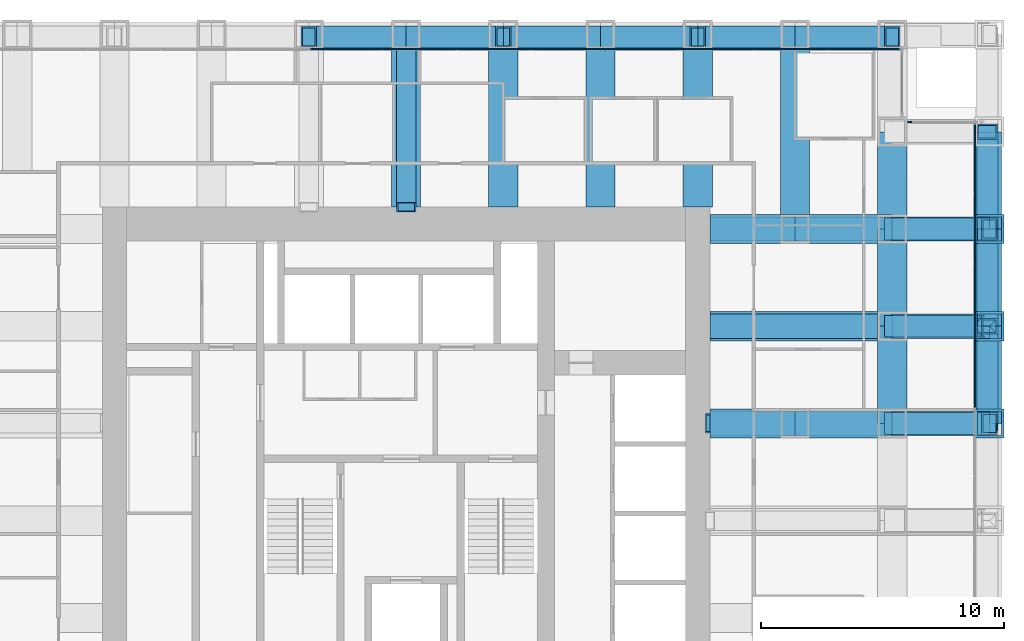
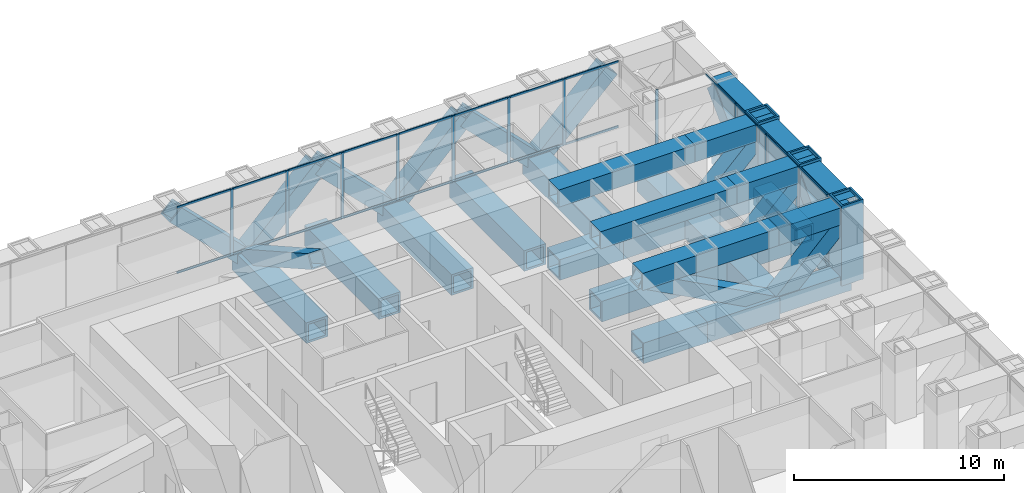
# One storey, part 10 of 18: 53 members, 28 beams, 3 elements without a shape of their own.
"""IFC4 building model written with IfcOpenShell, lengths in metres."""

from ifc_helpers import new_model, si_unit, direction, frame, origin, origin_2d, place, context, subcontext, project, spatial, rectangle, hollow_rectangle, extrude, material, material_profile, profile_set, type_object, element, aggregate, save


model = new_model("IFC4")

# Units and contexts
model_context = context("Model", 3, precision=1e-05, world=origin(), true_north=direction((0.0, 1.0)))
body_context = subcontext(model_context, "Body", "Model", "MODEL_VIEW")
ifc_project = project(units=[si_unit("LENGTHUNIT", "METRE"), si_unit("AREAUNIT", "SQUARE_METRE"), si_unit("VOLUMEUNIT", "CUBIC_METRE"), si_unit("PLANEANGLEUNIT", "RADIAN"), si_unit("MASSUNIT", "GRAM", prefix="KILO")], contexts=[model_context])

# Site, building, storey
site_placement = place(None, origin())
site = spatial("IfcSite", under=ifc_project, at=site_placement, CompositionType="ELEMENT")
building_placement = place(site_placement, origin())
building = spatial("IfcBuilding", under=site, at=building_placement, Name="Rimbunsela Tower", CompositionType="ELEMENT")
storey_placement = place(building_placement, frame((0.0, 0.0, 11.0)))
storey = spatial("IfcBuildingStorey", under=building, at=storey_placement, Name="L02", CompositionType="ELEMENT", Elevation=11.0)

# Beams
ifc_material_1 = material(Name="Steel BJ 55 (fy 410 MPa)", Category="steel")
ifc_material_profile_1 = material_profile(ifc_material_1, hollow_rectangle(XDim=1.199951171875, YDim=1.199951171875, WallThickness=0.10009765625, at=origin_2d()), Name="BOX 1200x1200x100")
ifc_profile_set_1 = profile_set([ifc_material_profile_1], Name="Steel BJ 55 (fy 410 MPa)")
beam_type_1 = type_object("IfcBeamType", Name="Beam BOX 1200x1200x100", PredefinedType="BEAM", material=ifc_profile_set_1)
for number, where, z_axis, x_axis, name in (
    (1, (42.5, 28.0, -0.75), (1.0, 0.0, 0.0), (0.0, 1.0, 0.0), "Beam B5 L02"),
    (2, (42.5, 36.0, -0.75), (1.0, 0.0, 0.0), (0.0, 1.0, 0.0), "Beam B5 L02"),
):
    element("IfcBeam", number, at=place(storey_placement, frame(where, z_axis=z_axis, x_axis=x_axis)), inside=storey, type_object=beam_type_1, Name=name, PredefinedType="BEAM", context=body_context, shape_type="SweptSolid", body=[
        extrude(hollow_rectangle(XDim=1.199951171875, YDim=1.199951171875, WallThickness=0.10009765625, at=origin_2d()), origin(), (0.0, 0.0, 1.0), 3.5),
    ])
ifc_material_2 = material(Name="Steel BJ 55 (fy 410 MPa)", Category="steel")
ifc_material_profile_2 = material_profile(ifc_material_2, hollow_rectangle(XDim=1.199951171875, YDim=1.199951171875, WallThickness=0.125, at=origin_2d()), Name="BOX 1200x1200x125")
ifc_profile_set_2 = profile_set([ifc_material_profile_2], Name="Steel BJ 55 (fy 410 MPa)")
beam_type_2 = type_object("IfcBeamType", Name="Beam BOX 1200x1200x125", PredefinedType="BEAM", material=ifc_profile_set_2)
for number, where, z_axis, x_axis, name in (
    (3, (30.0, 36.89990234375, -0.75), (0.0, 1.0, 0.0), (-1.0, 0.0, 0.0), "Beam B4 L02"),
    (4, (34.0, 36.89990234375, -0.75), (0.0, 1.0, 0.0), (-1.0, 0.0, 0.0), "Beam B4 L02"),
    (5, (38.0, 36.89990234375, -0.75), (0.0, 1.0, 0.0), (-1.0, 0.0, 0.0), "Beam B4 L02"),
    (6, (42.0, 36.89990234375, -0.75), (0.0, 1.0, 0.0), (-1.0, 0.0, 0.0), "Beam B4 L02"),
):
    element("IfcBeam", number, at=place(storey_placement, frame(where, z_axis=z_axis, x_axis=x_axis)), inside=storey, type_object=beam_type_2, Name=name, PredefinedType="BEAM", context=body_context, shape_type="SweptSolid", body=[
        extrude(hollow_rectangle(XDim=1.199951171875, YDim=1.199951171875, WallThickness=0.125, at=origin_2d()), origin(), (0.0, 0.0, 1.0), 7.10009765625),
    ])
beam_1_placement = place(storey_placement, frame((42.5, 32.0, -0.75), z_axis=(1.0, 0.0, 0.0), x_axis=(0.0, 1.0, 0.0)))
element("IfcBeam", 7, at=beam_1_placement, inside=storey, type_object=beam_type_2, Name="Beam B4 L02", PredefinedType="BEAM", context=body_context, shape_type="SweptSolid", body=[
    extrude(hollow_rectangle(XDim=1.199951171875, YDim=1.199951171875, WallThickness=0.125, at=origin_2d()), origin(), (0.0, 0.0, 1.0), 7.5),
])
beam_2_placement = place(storey_placement, frame((46.0, 28.0, -0.75), z_axis=(1.0, 0.0, 0.0), x_axis=(0.0, 1.0, 0.0)))
element("IfcBeam", 8, at=beam_2_placement, inside=storey, type_object=beam_type_2, Name="Beam B4 L02", PredefinedType="BEAM", context=body_context, shape_type="SweptSolid", body=[
    extrude(hollow_rectangle(XDim=1.199951171875, YDim=1.199951171875, WallThickness=0.125, at=origin_2d()), origin(), (0.0, 0.0, 1.0), 4.0),
])
beam_3_placement = place(storey_placement, frame((46.0, 36.0, -0.75), z_axis=(0.0, 1.0, 0.0), x_axis=(-1.0, 0.0, 0.0)))
element("IfcBeam", 9, at=beam_3_placement, inside=storey, type_object=beam_type_2, Name="Beam B4 L02", PredefinedType="BEAM", context=body_context, shape_type="SweptSolid", body=[
    extrude(hollow_rectangle(XDim=1.199951171875, YDim=1.199951171875, WallThickness=0.125, at=origin_2d()), origin(), (0.0, 0.0, 1.0), 8.0),
])
for number, where, z_axis, x_axis, name in (
    (10, (46.0, 36.0, -0.75), (1.0, 0.0, 0.0), (0.0, 1.0, 0.0), "Beam B4 L02"),
    (11, (50.0, 28.0, -0.75), (0.0, 1.0, 0.0), (-1.0, 0.0, 0.0), "Beam B4 L02"),
    (12, (50.0, 32.0, -0.75), (0.0, 1.0, 0.0), (-1.0, 0.0, 0.0), "Beam B4 L02"),
    (13, (50.0, 36.0, -0.75), (0.0, 1.0, 0.0), (-1.0, 0.0, 0.0), "Beam B4 L02"),
):
    element("IfcBeam", number, at=place(storey_placement, frame(where, z_axis=z_axis, x_axis=x_axis)), inside=storey, type_object=beam_type_2, Name=name, PredefinedType="BEAM", context=body_context, shape_type="SweptSolid", body=[
        extrude(hollow_rectangle(XDim=1.199951171875, YDim=1.199951171875, WallThickness=0.125, at=origin_2d()), origin(), (0.0, 0.0, 1.0), 4.0),
    ])

# Curtain wall, members
ifc_material_3 = material(Name="Aluminium curtain wall", Category="aluminium")
curtain_wall_type_1 = type_object("IfcCurtainWallType", Name="Exoskeleton storey infill", PredefinedType="USERDEFINED", material=ifc_material_3)
curtain_wall_1_placement = place(storey_placement, origin())
curtain_wall_1 = element("IfcCurtainWall", 14, at=curtain_wall_1_placement, inside=storey, type_object=curtain_wall_type_1, Name="Exoskeleton storey infill L02", ObjectType="EXOSKELETON STOREY INFILL", PredefinedType="USERDEFINED")
ifc_material_4 = material(Name="Aluminium mullion", Category="aluminium")
ifc_material_profile_3 = material_profile(ifc_material_4, rectangle(XDim=0.06005859375, YDim=0.159912109375, at=origin_2d()), Name="Mullion 60x160")
ifc_profile_set_3 = profile_set([ifc_material_profile_3], Name="Aluminium mullion")
member_type_1 = type_object("IfcMemberType", Name="Curtain wall mullion 60x160", PredefinedType="MULLION", material=ifc_profile_set_3)
member_1_placement = place(storey_placement, frame((53.39990234375, 28.742919921875, 0.0), z_axis=(0.0, 0.0, 1.0), x_axis=(-1.0, 0.0, 0.0)))
member_1 = element("IfcMember", 15, at=member_1_placement, type_object=member_type_1, Name="CW2 mullion 11", PredefinedType="MULLION", context=body_context, shape_type="SweptSolid", body=[
    extrude(rectangle(XDim=0.06005859375, YDim=0.159912109375, at=origin_2d()), origin(), (0.0, 0.0, 1.0), 3.85009765625),
])
member_2_placement = place(storey_placement, frame((53.39990234375, 31.6572265625, 0.0), z_axis=(0.0, 0.0, 1.0), x_axis=(-1.0, 0.0, 0.0)))
member_2 = element("IfcMember", 16, at=member_2_placement, type_object=member_type_1, Name="CW2 mullion 12", PredefinedType="MULLION", context=body_context, shape_type="SweptSolid", body=[
    extrude(rectangle(XDim=0.06005859375, YDim=0.159912109375, at=origin_2d()), origin(), (0.0, 0.0, 1.0), 3.85009765625),
])
member_3_placement = place(storey_placement, frame((53.39990234375, 34.571533203125, 0.0), z_axis=(0.0, 0.0, 1.0), x_axis=(-1.0, 0.0, 0.0)))
member_3 = element("IfcMember", 17, at=member_3_placement, type_object=member_type_1, Name="CW2 mullion 13", PredefinedType="MULLION", context=body_context, shape_type="SweptSolid", body=[
    extrude(rectangle(XDim=0.06005859375, YDim=0.159912109375, at=origin_2d()), origin(), (0.0, 0.0, 1.0), 3.85009765625),
])
member_4_placement = place(storey_placement, frame((53.39990234375, 37.485595703125, 0.0), z_axis=(0.0, 0.0, 1.0), x_axis=(-1.0, 0.0, 0.0)))
member_4 = element("IfcMember", 18, at=member_4_placement, type_object=member_type_1, Name="CW2 mullion 14", PredefinedType="MULLION", context=body_context, shape_type="SweptSolid", body=[
    extrude(rectangle(XDim=0.06005859375, YDim=0.159912109375, at=origin_2d()), origin(), (0.0, 0.0, 1.0), 3.85009765625),
])

# Curtain wall, member
ifc_material_5 = material(Name="Aluminium curtain wall", Category="aluminium")
curtain_wall_type_2 = type_object("IfcCurtainWallType", Name="Spandrel wall", PredefinedType="USERDEFINED", material=ifc_material_5)
curtain_wall_2_placement = place(storey_placement, origin())
curtain_wall_2 = element("IfcCurtainWall", 19, at=curtain_wall_2_placement, inside=storey, type_object=curtain_wall_type_2, Name="Spandrel wall L02", ObjectType="SPANDREL WALL", PredefinedType="USERDEFINED")
member_5_placement = place(storey_placement, frame((50.72998046875, 40.39990234375, 0.0), z_axis=(0.0, 0.0, 1.0), x_axis=(0.0, -1.0, 0.0)))
member_5 = element("IfcMember", 20, at=member_5_placement, type_object=member_type_1, Name="CW7 mullion 2", PredefinedType="MULLION", context=body_context, shape_type="SweptSolid", body=[
    extrude(rectangle(XDim=0.06005859375, YDim=0.159912109375, at=origin_2d()), origin(), (0.0, 0.0, 1.0), 3.85009765625),
])
aggregate(curtain_wall_2, [member_5])

# Curtain wall, members
curtain_wall_3_placement = place(storey_placement, origin())
curtain_wall_3 = element("IfcCurtainWall", 21, at=curtain_wall_3_placement, inside=storey, type_object=curtain_wall_type_1, Name="Exoskeleton storey infill L02", ObjectType="EXOSKELETON STOREY INFILL", PredefinedType="USERDEFINED")
member_6_placement = place(storey_placement, frame((47.35009765625, 43.39990234375, 0.0), z_axis=(0.0, 0.0, 1.0), x_axis=(0.0, -1.0, 0.0)))
member_6 = element("IfcMember", 22, at=member_6_placement, type_object=member_type_1, Name="CW2 mullion 2", PredefinedType="MULLION", context=body_context, shape_type="SweptSolid", body=[
    extrude(rectangle(XDim=0.06005859375, YDim=0.159912109375, at=origin_2d()), origin(), (0.0, 0.0, 1.0), 3.85009765625),
])
member_7_placement = place(storey_placement, frame((44.300048828125, 43.39990234375, 0.0), z_axis=(0.0, 0.0, 1.0), x_axis=(0.0, -1.0, 0.0)))
member_7 = element("IfcMember", 23, at=member_7_placement, type_object=member_type_1, Name="CW2 mullion 3", PredefinedType="MULLION", context=body_context, shape_type="SweptSolid", body=[
    extrude(rectangle(XDim=0.06005859375, YDim=0.159912109375, at=origin_2d()), origin(), (0.0, 0.0, 1.0), 3.85009765625),
])
member_8_placement = place(storey_placement, frame((41.25, 43.39990234375, 0.0), z_axis=(0.0, 0.0, 1.0), x_axis=(0.0, -1.0, 0.0)))
member_8 = element("IfcMember", 24, at=member_8_placement, type_object=member_type_1, Name="CW2 mullion 4", PredefinedType="MULLION", context=body_context, shape_type="SweptSolid", body=[
    extrude(rectangle(XDim=0.06005859375, YDim=0.159912109375, at=origin_2d()), origin(), (0.0, 0.0, 1.0), 3.85009765625),
])
member_9_placement = place(storey_placement, frame((38.199951171875, 43.39990234375, 0.0), z_axis=(0.0, 0.0, 1.0), x_axis=(0.0, -1.0, 0.0)))
member_9 = element("IfcMember", 25, at=member_9_placement, type_object=member_type_1, Name="CW2 mullion 5", PredefinedType="MULLION", context=body_context, shape_type="SweptSolid", body=[
    extrude(rectangle(XDim=0.06005859375, YDim=0.159912109375, at=origin_2d()), origin(), (0.0, 0.0, 1.0), 3.85009765625),
])
member_10_placement = place(storey_placement, frame((35.14990234375, 43.39990234375, 0.0), z_axis=(0.0, 0.0, 1.0), x_axis=(0.0, -1.0, 0.0)))
member_10 = element("IfcMember", 26, at=member_10_placement, type_object=member_type_1, Name="CW2 mullion 6", PredefinedType="MULLION", context=body_context, shape_type="SweptSolid", body=[
    extrude(rectangle(XDim=0.06005859375, YDim=0.159912109375, at=origin_2d()), origin(), (0.0, 0.0, 1.0), 3.85009765625),
])
member_11_placement = place(storey_placement, frame((32.10009765625, 43.39990234375, 0.0), z_axis=(0.0, 0.0, 1.0), x_axis=(0.0, -1.0, 0.0)))
member_11 = element("IfcMember", 27, at=member_11_placement, type_object=member_type_1, Name="CW2 mullion 7", PredefinedType="MULLION", context=body_context, shape_type="SweptSolid", body=[
    extrude(rectangle(XDim=0.06005859375, YDim=0.159912109375, at=origin_2d()), origin(), (0.0, 0.0, 1.0), 3.85009765625),
])
member_12_placement = place(storey_placement, frame((29.050048828125, 43.39990234375, 0.0), z_axis=(0.0, 0.0, 1.0), x_axis=(0.0, -1.0, 0.0)))
member_12 = element("IfcMember", 28, at=member_12_placement, type_object=member_type_1, Name="CW2 mullion 8", PredefinedType="MULLION", context=body_context, shape_type="SweptSolid", body=[
    extrude(rectangle(XDim=0.06005859375, YDim=0.159912109375, at=origin_2d()), origin(), (0.0, 0.0, 1.0), 3.85009765625),
])

# Member
ifc_material_6 = material(Name="Aluminium transom", Category="aluminium")
ifc_material_profile_4 = material_profile(ifc_material_6, rectangle(XDim=0.06005859375, YDim=0.1201171875, at=origin_2d()), Name="Transom 60x120")
ifc_profile_set_4 = profile_set([ifc_material_profile_4], Name="Aluminium transom")
member_type_2 = type_object("IfcMemberType", Name="Curtain wall transom 60x120", PredefinedType="USERDEFINED", material=ifc_profile_set_4)
member_13_placement = place(storey_placement, frame((53.39990234375, 28.77294921875, 0.030029296875), z_axis=(0.0, 1.0, 0.0), x_axis=(-1.0, 0.0, 0.0)))
member_13 = element("IfcMember", 29, at=member_13_placement, type_object=member_type_2, Name="CW2 transom 11.1", ObjectType="TRANSOM", PredefinedType="USERDEFINED", context=body_context, shape_type="SweptSolid", body=[
    extrude(rectangle(XDim=0.06005859375, YDim=0.1201171875, at=origin_2d()), origin(), (0.0, 0.0, 1.0), 2.854248046875),
])

member_14_placement = place(storey_placement, frame((53.39990234375, 28.77294921875, 3.820068359375), z_axis=(0.0, 1.0, 0.0), x_axis=(-1.0, 0.0, 0.0)))
member_14 = element("IfcMember", 30, at=member_14_placement, type_object=member_type_2, Name="CW2 transom 11.2", ObjectType="TRANSOM", PredefinedType="USERDEFINED", context=body_context, shape_type="SweptSolid", body=[
    extrude(rectangle(XDim=0.06005859375, YDim=0.1201171875, at=origin_2d()), origin(), (0.0, 0.0, 1.0), 2.854248046875),
])

member_15_placement = place(storey_placement, frame((53.39990234375, 31.687255859375, 0.030029296875), z_axis=(0.0, 1.0, 0.0), x_axis=(-1.0, 0.0, 0.0)))
member_15 = element("IfcMember", 31, at=member_15_placement, type_object=member_type_2, Name="CW2 transom 12.1", ObjectType="TRANSOM", PredefinedType="USERDEFINED", context=body_context, shape_type="SweptSolid", body=[
    extrude(rectangle(XDim=0.06005859375, YDim=0.1201171875, at=origin_2d()), origin(), (0.0, 0.0, 1.0), 2.854248046875),
])

member_16_placement = place(storey_placement, frame((53.39990234375, 31.687255859375, 3.820068359375), z_axis=(0.0, 1.0, 0.0), x_axis=(-1.0, 0.0, 0.0)))
member_16 = element("IfcMember", 32, at=member_16_placement, type_object=member_type_2, Name="CW2 transom 12.2", ObjectType="TRANSOM", PredefinedType="USERDEFINED", context=body_context, shape_type="SweptSolid", body=[
    extrude(rectangle(XDim=0.06005859375, YDim=0.1201171875, at=origin_2d()), origin(), (0.0, 0.0, 1.0), 2.854248046875),
])

member_17_placement = place(storey_placement, frame((53.39990234375, 34.601318359375, 0.030029296875), z_axis=(0.0, 1.0, 0.0), x_axis=(-1.0, 0.0, 0.0)))
member_17 = element("IfcMember", 33, at=member_17_placement, type_object=member_type_2, Name="CW2 transom 13.1", ObjectType="TRANSOM", PredefinedType="USERDEFINED", context=body_context, shape_type="SweptSolid", body=[
    extrude(rectangle(XDim=0.06005859375, YDim=0.1201171875, at=origin_2d()), origin(), (0.0, 0.0, 1.0), 2.8544921875),
])

member_18_placement = place(storey_placement, frame((53.39990234375, 34.601318359375, 3.820068359375), z_axis=(0.0, 1.0, 0.0), x_axis=(-1.0, 0.0, 0.0)))
member_18 = element("IfcMember", 34, at=member_18_placement, type_object=member_type_2, Name="CW2 transom 13.2", ObjectType="TRANSOM", PredefinedType="USERDEFINED", context=body_context, shape_type="SweptSolid", body=[
    extrude(rectangle(XDim=0.06005859375, YDim=0.1201171875, at=origin_2d()), origin(), (0.0, 0.0, 1.0), 2.8544921875),
])

member_19_placement = place(storey_placement, frame((53.39990234375, 37.515625, 0.030029296875), z_axis=(0.0, 1.0, 0.0), x_axis=(-1.0, 0.0, 0.0)))
member_19 = element("IfcMember", 35, at=member_19_placement, type_object=member_type_2, Name="CW2 transom 14.1", ObjectType="TRANSOM", PredefinedType="USERDEFINED", context=body_context, shape_type="SweptSolid", body=[
    extrude(rectangle(XDim=0.06005859375, YDim=0.1201171875, at=origin_2d()), origin(), (0.0, 0.0, 1.0), 2.824462890625),
])

member_20_placement = place(storey_placement, frame((53.39990234375, 37.515625, 3.820068359375), z_axis=(0.0, 1.0, 0.0), x_axis=(-1.0, 0.0, 0.0)))
member_20 = element("IfcMember", 36, at=member_20_placement, type_object=member_type_2, Name="CW2 transom 14.2", ObjectType="TRANSOM", PredefinedType="USERDEFINED", context=body_context, shape_type="SweptSolid", body=[
    extrude(rectangle(XDim=0.06005859375, YDim=0.1201171875, at=origin_2d()), origin(), (0.0, 0.0, 1.0), 2.824462890625),
])

aggregate(curtain_wall_1, [member_1, member_2, member_3, member_4, member_13, member_14, member_15, member_16, member_17, member_18, member_19, member_20])

member_21_placement = place(storey_placement, frame((50.340087890625, 43.39990234375, 0.030029296875), z_axis=(-1.0, 0.0, 0.0), x_axis=(0.0, -1.0, 0.0)))
member_21 = element("IfcMember", 37, at=member_21_placement, type_object=member_type_2, Name="CW2 transom 1.1", ObjectType="TRANSOM", PredefinedType="USERDEFINED", context=body_context, shape_type="SweptSolid", body=[
    extrude(rectangle(XDim=0.06005859375, YDim=0.1201171875, at=origin_2d()), origin(), (0.0, 0.0, 1.0), 2.960205078125),
])

member_22_placement = place(storey_placement, frame((50.340087890625, 43.39990234375, 3.820068359375), z_axis=(-1.0, 0.0, 0.0), x_axis=(0.0, -1.0, 0.0)))
member_22 = element("IfcMember", 38, at=member_22_placement, type_object=member_type_2, Name="CW2 transom 1.2", ObjectType="TRANSOM", PredefinedType="USERDEFINED", context=body_context, shape_type="SweptSolid", body=[
    extrude(rectangle(XDim=0.06005859375, YDim=0.1201171875, at=origin_2d()), origin(), (0.0, 0.0, 1.0), 2.960205078125),
])

member_23_placement = place(storey_placement, frame((47.320068359375, 43.39990234375, 0.030029296875), z_axis=(-1.0, 0.0, 0.0), x_axis=(0.0, -1.0, 0.0)))
member_23 = element("IfcMember", 39, at=member_23_placement, type_object=member_type_2, Name="CW2 transom 2.1", ObjectType="TRANSOM", PredefinedType="USERDEFINED", context=body_context, shape_type="SweptSolid", body=[
    extrude(rectangle(XDim=0.06005859375, YDim=0.1201171875, at=origin_2d()), origin(), (0.0, 0.0, 1.0), 2.989990234375),
])

member_24_placement = place(storey_placement, frame((47.320068359375, 43.39990234375, 3.820068359375), z_axis=(-1.0, 0.0, 0.0), x_axis=(0.0, -1.0, 0.0)))
member_24 = element("IfcMember", 40, at=member_24_placement, type_object=member_type_2, Name="CW2 transom 2.2", ObjectType="TRANSOM", PredefinedType="USERDEFINED", context=body_context, shape_type="SweptSolid", body=[
    extrude(rectangle(XDim=0.06005859375, YDim=0.1201171875, at=origin_2d()), origin(), (0.0, 0.0, 1.0), 2.989990234375),
])

member_25_placement = place(storey_placement, frame((44.27001953125, 43.39990234375, 0.030029296875), z_axis=(-1.0, 0.0, 0.0), x_axis=(0.0, -1.0, 0.0)))
member_25 = element("IfcMember", 41, at=member_25_placement, type_object=member_type_2, Name="CW2 transom 3.1", ObjectType="TRANSOM", PredefinedType="USERDEFINED", context=body_context, shape_type="SweptSolid", body=[
    extrude(rectangle(XDim=0.06005859375, YDim=0.1201171875, at=origin_2d()), origin(), (0.0, 0.0, 1.0), 2.989990234375),
])

member_26_placement = place(storey_placement, frame((44.27001953125, 43.39990234375, 3.820068359375), z_axis=(-1.0, 0.0, 0.0), x_axis=(0.0, -1.0, 0.0)))
member_26 = element("IfcMember", 42, at=member_26_placement, type_object=member_type_2, Name="CW2 transom 3.2", ObjectType="TRANSOM", PredefinedType="USERDEFINED", context=body_context, shape_type="SweptSolid", body=[
    extrude(rectangle(XDim=0.06005859375, YDim=0.1201171875, at=origin_2d()), origin(), (0.0, 0.0, 1.0), 2.989990234375),
])

member_27_placement = place(storey_placement, frame((41.219970703125, 43.39990234375, 0.030029296875), z_axis=(-1.0, 0.0, 0.0), x_axis=(0.0, -1.0, 0.0)))
member_27 = element("IfcMember", 43, at=member_27_placement, type_object=member_type_2, Name="CW2 transom 4.1", ObjectType="TRANSOM", PredefinedType="USERDEFINED", context=body_context, shape_type="SweptSolid", body=[
    extrude(rectangle(XDim=0.06005859375, YDim=0.1201171875, at=origin_2d()), origin(), (0.0, 0.0, 1.0), 2.989990234375),
])

member_28_placement = place(storey_placement, frame((41.219970703125, 43.39990234375, 3.820068359375), z_axis=(-1.0, 0.0, 0.0), x_axis=(0.0, -1.0, 0.0)))
member_28 = element("IfcMember", 44, at=member_28_placement, type_object=member_type_2, Name="CW2 transom 4.2", ObjectType="TRANSOM", PredefinedType="USERDEFINED", context=body_context, shape_type="SweptSolid", body=[
    extrude(rectangle(XDim=0.06005859375, YDim=0.1201171875, at=origin_2d()), origin(), (0.0, 0.0, 1.0), 2.989990234375),
])

member_29_placement = place(storey_placement, frame((38.169921875, 43.39990234375, 0.030029296875), z_axis=(-1.0, 0.0, 0.0), x_axis=(0.0, -1.0, 0.0)))
member_29 = element("IfcMember", 45, at=member_29_placement, type_object=member_type_2, Name="CW2 transom 5.1", ObjectType="TRANSOM", PredefinedType="USERDEFINED", context=body_context, shape_type="SweptSolid", body=[
    extrude(rectangle(XDim=0.06005859375, YDim=0.1201171875, at=origin_2d()), origin(), (0.0, 0.0, 1.0), 2.989990234375),
])

member_30_placement = place(storey_placement, frame((38.169921875, 43.39990234375, 3.820068359375), z_axis=(-1.0, 0.0, 0.0), x_axis=(0.0, -1.0, 0.0)))
member_30 = element("IfcMember", 46, at=member_30_placement, type_object=member_type_2, Name="CW2 transom 5.2", ObjectType="TRANSOM", PredefinedType="USERDEFINED", context=body_context, shape_type="SweptSolid", body=[
    extrude(rectangle(XDim=0.06005859375, YDim=0.1201171875, at=origin_2d()), origin(), (0.0, 0.0, 1.0), 2.989990234375),
])

member_31_placement = place(storey_placement, frame((35.1201171875, 43.39990234375, 0.030029296875), z_axis=(-1.0, 0.0, 0.0), x_axis=(0.0, -1.0, 0.0)))
member_31 = element("IfcMember", 47, at=member_31_placement, type_object=member_type_2, Name="CW2 transom 6.1", ObjectType="TRANSOM", PredefinedType="USERDEFINED", context=body_context, shape_type="SweptSolid", body=[
    extrude(rectangle(XDim=0.06005859375, YDim=0.1201171875, at=origin_2d()), origin(), (0.0, 0.0, 1.0), 2.990234375),
])

member_32_placement = place(storey_placement, frame((35.1201171875, 43.39990234375, 3.820068359375), z_axis=(-1.0, 0.0, 0.0), x_axis=(0.0, -1.0, 0.0)))
member_32 = element("IfcMember", 48, at=member_32_placement, type_object=member_type_2, Name="CW2 transom 6.2", ObjectType="TRANSOM", PredefinedType="USERDEFINED", context=body_context, shape_type="SweptSolid", body=[
    extrude(rectangle(XDim=0.06005859375, YDim=0.1201171875, at=origin_2d()), origin(), (0.0, 0.0, 1.0), 2.990234375),
])

member_33_placement = place(storey_placement, frame((32.070068359375, 43.39990234375, 0.030029296875), z_axis=(-1.0, 0.0, 0.0), x_axis=(0.0, -1.0, 0.0)))
member_33 = element("IfcMember", 49, at=member_33_placement, type_object=member_type_2, Name="CW2 transom 7.1", ObjectType="TRANSOM", PredefinedType="USERDEFINED", context=body_context, shape_type="SweptSolid", body=[
    extrude(rectangle(XDim=0.06005859375, YDim=0.1201171875, at=origin_2d()), origin(), (0.0, 0.0, 1.0), 2.989990234375),
])

member_34_placement = place(storey_placement, frame((32.070068359375, 43.39990234375, 3.820068359375), z_axis=(-1.0, 0.0, 0.0), x_axis=(0.0, -1.0, 0.0)))
member_34 = element("IfcMember", 50, at=member_34_placement, type_object=member_type_2, Name="CW2 transom 7.2", ObjectType="TRANSOM", PredefinedType="USERDEFINED", context=body_context, shape_type="SweptSolid", body=[
    extrude(rectangle(XDim=0.06005859375, YDim=0.1201171875, at=origin_2d()), origin(), (0.0, 0.0, 1.0), 2.989990234375),
])

member_35_placement = place(storey_placement, frame((29.02001953125, 43.39990234375, 0.030029296875), z_axis=(-1.0, 0.0, 0.0), x_axis=(0.0, -1.0, 0.0)))
member_35 = element("IfcMember", 51, at=member_35_placement, type_object=member_type_2, Name="CW2 transom 8.1", ObjectType="TRANSOM", PredefinedType="USERDEFINED", context=body_context, shape_type="SweptSolid", body=[
    extrude(rectangle(XDim=0.06005859375, YDim=0.1201171875, at=origin_2d()), origin(), (0.0, 0.0, 1.0), 2.989990234375),
])

member_36_placement = place(storey_placement, frame((29.02001953125, 43.39990234375, 3.820068359375), z_axis=(-1.0, 0.0, 0.0), x_axis=(0.0, -1.0, 0.0)))
member_36 = element("IfcMember", 52, at=member_36_placement, type_object=member_type_2, Name="CW2 transom 8.2", ObjectType="TRANSOM", PredefinedType="USERDEFINED", context=body_context, shape_type="SweptSolid", body=[
    extrude(rectangle(XDim=0.06005859375, YDim=0.1201171875, at=origin_2d()), origin(), (0.0, 0.0, 1.0), 2.989990234375),
])

aggregate(curtain_wall_3, [member_6, member_7, member_8, member_9, member_10, member_11, member_12, member_21, member_22, member_23, member_24, member_25, member_26, member_27, member_28, member_29, member_30, member_31, member_32, member_33, member_34, member_35, member_36])

# Members
ifc_material_7 = material(Name="Steel BJ 55 (fy 410 MPa)", Category="steel")
ifc_material_profile_5 = material_profile(ifc_material_7, hollow_rectangle(XDim=0.800048828125, YDim=0.800048828125, WallThickness=0.06005859375, at=origin_2d()), Name="BOX 800x800x60")
ifc_profile_set_5 = profile_set([ifc_material_profile_5], Name="Steel BJ 55 (fy 410 MPa)")
member_type_3 = type_object("IfcMemberType", Name="Outrigger brace BOX 800x800x60", PredefinedType="BRACE", material=ifc_profile_set_5)
member_37_placement = place(storey_placement, frame((30.0, 44.0, -0.64990234375), z_axis=(0.0, -0.871250514853, 0.490838609289), x_axis=(1.0, 0.0, 0.0)))
element("IfcMember", 53, at=member_37_placement, inside=storey, type_object=member_type_3, Name="Outrigger brace OB1 N L02", PredefinedType="BRACE", context=body_context, shape_type="SweptSolid", body=[
    extrude(hollow_rectangle(XDim=0.800048828125, YDim=0.800048828125, WallThickness=0.06005859375, at=origin_2d()), origin(), (0.0, 0.0, 1.0), 8.1494140625),
])
member_38_placement = place(storey_placement, frame((50.0, 28.0, -0.64990234375), z_axis=(-0.882352941176, 0.0, 0.470588235294), x_axis=(0.0, -1.0, 0.0)))
element("IfcMember", 54, at=member_38_placement, inside=storey, type_object=member_type_3, Name="Outrigger brace OB1 E L02", PredefinedType="BRACE", context=body_context, shape_type="SweptSolid", body=[
    extrude(hollow_rectangle(XDim=0.800048828125, YDim=0.800048828125, WallThickness=0.06005859375, at=origin_2d()), origin(), (0.0, 0.0, 1.0), 8.5),
])

# Beams
ifc_material_8 = material(Name="Steel BJ 55 (fy 410 MPa)", Category="steel")
ifc_material_profile_6 = material_profile(ifc_material_8, hollow_rectangle(XDim=1.0, YDim=1.0, WallThickness=0.10009765625, at=origin_2d()), Name="BOX 1000x1000x100")
ifc_profile_set_6 = profile_set([ifc_material_profile_6], Name="Steel BJ 55 (fy 410 MPa)")
beam_type_3 = type_object("IfcBeamType", Name="Truss chord BOX 1000x1000x100", PredefinedType="USERDEFINED", material=ifc_profile_set_6)
for number, where, z_axis, x_axis, name in (
    (55, (54.0, 28.0, 3.35009765625), (0.0, 1.0, 0.0), (-1.0, 0.0, 0.0), "Truss top chord TC1 E face L02"),
    (56, (54.0, 32.0, 3.35009765625), (0.0, 1.0, 0.0), (-1.0, 0.0, 0.0), "Truss top chord TC1 E face L02"),
    (57, (54.0, 36.0, 3.35009765625), (0.0, 1.0, 0.0), (-1.0, 0.0, 0.0), "Truss top chord TC1 E face L02"),
    (58, (50.0, 28.0, -0.64990234375), (1.0, 0.0, 0.0), (0.0, 1.0, 0.0), "Cantilever truss bottom chord TC1 16/J L02"),
):
    element("IfcBeam", number, at=place(storey_placement, frame(where, z_axis=z_axis, x_axis=x_axis)), inside=storey, type_object=beam_type_3, Name=name, ObjectType="TRUSS CHORD", PredefinedType="USERDEFINED", context=body_context, shape_type="SweptSolid", body=[
        extrude(hollow_rectangle(XDim=1.0, YDim=1.0, WallThickness=0.10009765625, at=origin_2d()), origin(), (0.0, 0.0, 1.0), 4.0),
    ])
beam_4_placement = place(storey_placement, frame((42.5, 28.0, 3.35009765625), z_axis=(1.0, 0.0, 0.0), x_axis=(0.0, 1.0, 0.0)))
element("IfcBeam", 59, at=beam_4_placement, inside=storey, type_object=beam_type_3, Name="Cantilever truss top chord TC1 16/J L02", ObjectType="TRUSS CHORD", PredefinedType="USERDEFINED", context=body_context, shape_type="SweptSolid", body=[
    extrude(hollow_rectangle(XDim=1.0, YDim=1.0, WallThickness=0.10009765625, at=origin_2d()), origin(), (0.0, 0.0, 1.0), 7.5),
])
for number, where, z_axis, x_axis, name in (
    (60, (50.0, 28.0, 3.35009765625), (1.0, 0.0, 0.0), (0.0, 1.0, 0.0), "Cantilever truss top chord TC1 16/J L02"),
    (61, (50.0, 32.0, -0.64990234375), (1.0, 0.0, 0.0), (0.0, 1.0, 0.0), "Cantilever truss bottom chord TC1 16/K L02"),
):
    element("IfcBeam", number, at=place(storey_placement, frame(where, z_axis=z_axis, x_axis=x_axis)), inside=storey, type_object=beam_type_3, Name=name, ObjectType="TRUSS CHORD", PredefinedType="USERDEFINED", context=body_context, shape_type="SweptSolid", body=[
        extrude(hollow_rectangle(XDim=1.0, YDim=1.0, WallThickness=0.10009765625, at=origin_2d()), origin(), (0.0, 0.0, 1.0), 4.0),
    ])
beam_5_placement = place(storey_placement, frame((42.5, 32.0, 3.35009765625), z_axis=(1.0, 0.0, 0.0), x_axis=(0.0, 1.0, 0.0)))
element("IfcBeam", 62, at=beam_5_placement, inside=storey, type_object=beam_type_3, Name="Cantilever truss top chord TC1 16/K L02", ObjectType="TRUSS CHORD", PredefinedType="USERDEFINED", context=body_context, shape_type="SweptSolid", body=[
    extrude(hollow_rectangle(XDim=1.0, YDim=1.0, WallThickness=0.10009765625, at=origin_2d()), origin(), (0.0, 0.0, 1.0), 7.5),
])
for number, where, z_axis, x_axis, name in (
    (63, (50.0, 32.0, 3.35009765625), (1.0, 0.0, 0.0), (0.0, 1.0, 0.0), "Cantilever truss top chord TC1 16/K L02"),
    (64, (50.0, 36.0, -0.64990234375), (1.0, 0.0, 0.0), (0.0, 1.0, 0.0), "Cantilever truss bottom chord TC1 16/L L02"),
):
    element("IfcBeam", number, at=place(storey_placement, frame(where, z_axis=z_axis, x_axis=x_axis)), inside=storey, type_object=beam_type_3, Name=name, ObjectType="TRUSS CHORD", PredefinedType="USERDEFINED", context=body_context, shape_type="SweptSolid", body=[
        extrude(hollow_rectangle(XDim=1.0, YDim=1.0, WallThickness=0.10009765625, at=origin_2d()), origin(), (0.0, 0.0, 1.0), 4.0),
    ])
beam_6_placement = place(storey_placement, frame((42.5, 36.0, 3.35009765625), z_axis=(1.0, 0.0, 0.0), x_axis=(0.0, 1.0, 0.0)))
element("IfcBeam", 65, at=beam_6_placement, inside=storey, type_object=beam_type_3, Name="Cantilever truss top chord TC1 16/L L02", ObjectType="TRUSS CHORD", PredefinedType="USERDEFINED", context=body_context, shape_type="SweptSolid", body=[
    extrude(hollow_rectangle(XDim=1.0, YDim=1.0, WallThickness=0.10009765625, at=origin_2d()), origin(), (0.0, 0.0, 1.0), 7.5),
])
for number, where, z_axis, x_axis, name in (
    (66, (50.0, 36.0, 3.35009765625), (1.0, 0.0, 0.0), (0.0, 1.0, 0.0), "Cantilever truss top chord TC1 16/L L02"),
    (67, (54.0, 28.0, -0.64990234375), (0.0, 1.0, 0.0), (-1.0, 0.0, 0.0), "Truss bottom chord TC1 E face L02"),
    (68, (54.0, 32.0, -0.64990234375), (0.0, 1.0, 0.0), (-1.0, 0.0, 0.0), "Truss bottom chord TC1 E face L02"),
    (69, (54.0, 36.0, -0.64990234375), (0.0, 1.0, 0.0), (-1.0, 0.0, 0.0), "Truss bottom chord TC1 E face L02"),
):
    element("IfcBeam", number, at=place(storey_placement, frame(where, z_axis=z_axis, x_axis=x_axis)), inside=storey, type_object=beam_type_3, Name=name, ObjectType="TRUSS CHORD", PredefinedType="USERDEFINED", context=body_context, shape_type="SweptSolid", body=[
        extrude(hollow_rectangle(XDim=1.0, YDim=1.0, WallThickness=0.10009765625, at=origin_2d()), origin(), (0.0, 0.0, 1.0), 4.0),
    ])

# Members
ifc_material_9 = material(Name="Steel BJ 55 (fy 410 MPa)", Category="steel")
ifc_material_profile_7 = material_profile(ifc_material_9, hollow_rectangle(XDim=0.89990234375, YDim=0.89990234375, WallThickness=0.080078125, at=origin_2d()), Name="BOX 900x900x80")
ifc_profile_set_7 = profile_set([ifc_material_profile_7], Name="Steel BJ 55 (fy 410 MPa)")
member_type_4 = type_object("IfcMemberType", Name="Truss diagonal BOX 900x900x80", PredefinedType="BRACE", material=ifc_profile_set_7)
for number, where, z_axis, x_axis, name in (
    (70, (26.0, 43.89990234375, 3.35009765625), (0.707106781187, 0.0, -0.707106781187), (0.0, 1.0, 0.0), "Truss diagonal TD1 N face L02"),
    (71, (30.0, 43.89990234375, -0.64990234375), (0.707106781187, 0.0, 0.707106781187), (0.0, 1.0, 0.0), "Truss diagonal TD1 N face L02"),
    (72, (34.0, 43.89990234375, 3.35009765625), (0.707106781187, 0.0, -0.707106781187), (0.0, 1.0, 0.0), "Truss diagonal TD1 N face L02"),
    (73, (38.0, 43.89990234375, -0.64990234375), (0.707106781187, 0.0, 0.707106781187), (0.0, 1.0, 0.0), "Truss diagonal TD1 N face L02"),
    (74, (42.0, 43.89990234375, 3.35009765625), (0.707106781187, 0.0, -0.707106781187), (0.0, 1.0, 0.0), "Truss diagonal TD1 N face L02"),
    (75, (46.0, 43.89990234375, -0.64990234375), (0.707106781187, 0.0, 0.707106781187), (0.0, 1.0, 0.0), "Truss diagonal TD1 N face L02"),
    (76, (53.89990234375, 28.0, -0.64990234375), (0.0, 0.707106781187, 0.707106781187), (-1.0, 0.0, 0.0), "Truss diagonal TD1 E face L02"),
    (77, (53.89990234375, 32.0, 3.35009765625), (0.0, 0.707106781187, -0.707106781187), (-1.0, 0.0, 0.0), "Truss diagonal TD1 E face L02"),
    (78, (53.89990234375, 36.0, -0.64990234375), (0.0, 0.707106781187, 0.707106781187), (-1.0, 0.0, 0.0), "Truss diagonal TD1 E face L02"),
    (79, (50.0, 28.0, -0.64990234375), (0.707106781187, 0.0, 0.707106781187), (0.0, 1.0, 0.0), "Cantilever truss diagonal TD1 16/J L02"),
    (80, (50.0, 32.0, -0.64990234375), (0.707106781187, 0.0, 0.707106781187), (0.0, 1.0, 0.0), "Cantilever truss diagonal TD1 16/K L02"),
    (81, (50.0, 36.0, -0.64990234375), (0.707106781187, 0.0, 0.707106781187), (0.0, 1.0, 0.0), "Cantilever truss diagonal TD1 16/L L02"),
):
    element("IfcMember", number, at=place(storey_placement, frame(where, z_axis=z_axis, x_axis=x_axis)), inside=storey, type_object=member_type_4, Name=name, PredefinedType="BRACE", context=body_context, shape_type="SweptSolid", body=[
        extrude(hollow_rectangle(XDim=0.89990234375, YDim=0.89990234375, WallThickness=0.080078125, at=origin_2d()), origin(), (0.0, 0.0, 1.0), 5.65673828125),
    ])
ifc_material_10 = material(Name="Steel BJ 55 (fy 410 MPa)", Category="steel")
ifc_material_profile_8 = material_profile(ifc_material_10, hollow_rectangle(XDim=1.199951171875, YDim=1.199951171875, WallThickness=0.10009765625, at=origin_2d()), Name="BOX 1200x1200x100")
ifc_profile_set_8 = profile_set([ifc_material_profile_8], Name="Steel BJ 55 (fy 410 MPa)")
member_type_5 = type_object("IfcMemberType", Name="Truss post BOX 1200x1200x100", PredefinedType="POST", material=ifc_profile_set_8)
for number, where, z_axis, x_axis, name in (
    (82, (54.0, 28.0, -0.64990234375), (0.0, 0.0, 1.0), (1.0, 0.0, 0.0), "Truss post TP1 16/J L02"),
    (83, (54.0, 32.0, -0.64990234375), (0.0, 0.0, 1.0), (1.0, 0.0, 0.0), "Truss post TP1 16/K L02"),
    (84, (54.0, 36.0, -0.64990234375), (0.0, 0.0, 1.0), (1.0, 0.0, 0.0), "Truss post TP1 16/L L02"),
):
    element("IfcMember", number, at=place(storey_placement, frame(where, z_axis=z_axis, x_axis=x_axis)), inside=storey, type_object=member_type_5, Name=name, PredefinedType="POST", context=body_context, shape_type="SweptSolid", body=[
        extrude(hollow_rectangle(XDim=1.199951171875, YDim=1.199951171875, WallThickness=0.10009765625, at=origin_2d()), origin(), (0.0, 0.0, 1.0), 4.64990234375),
    ])

save(model, "model.ifc")
